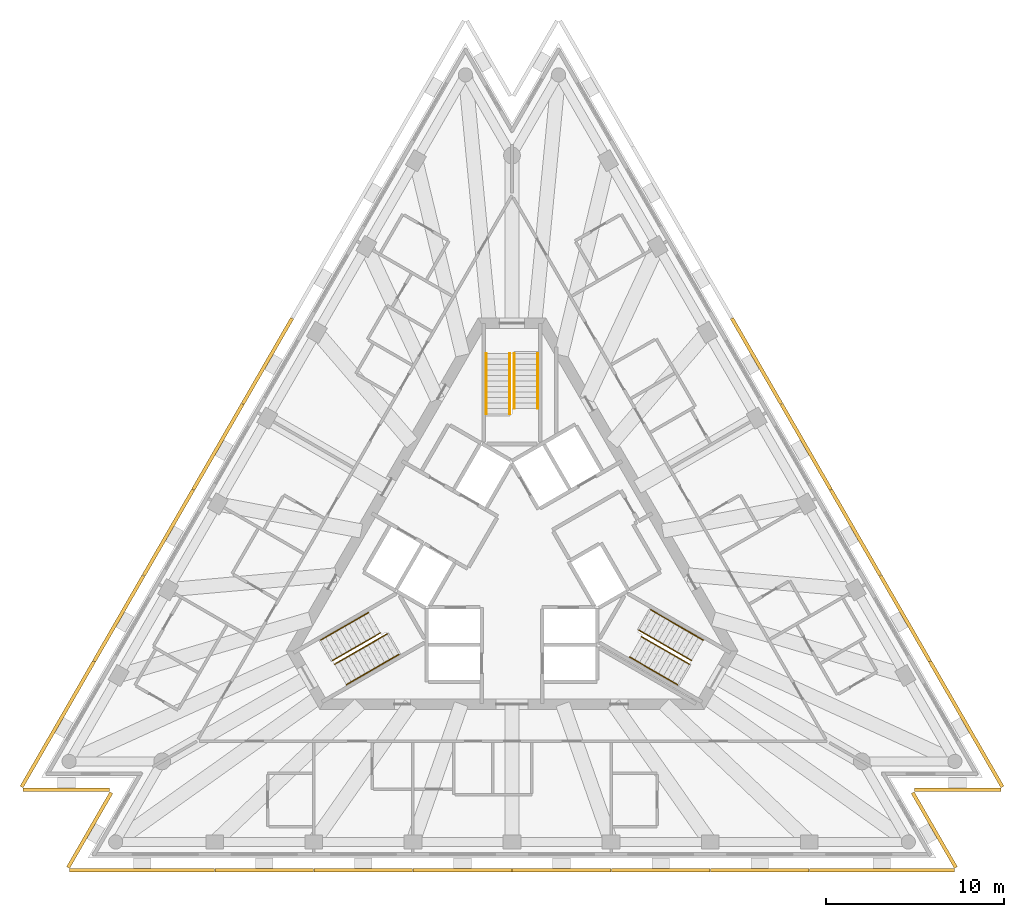
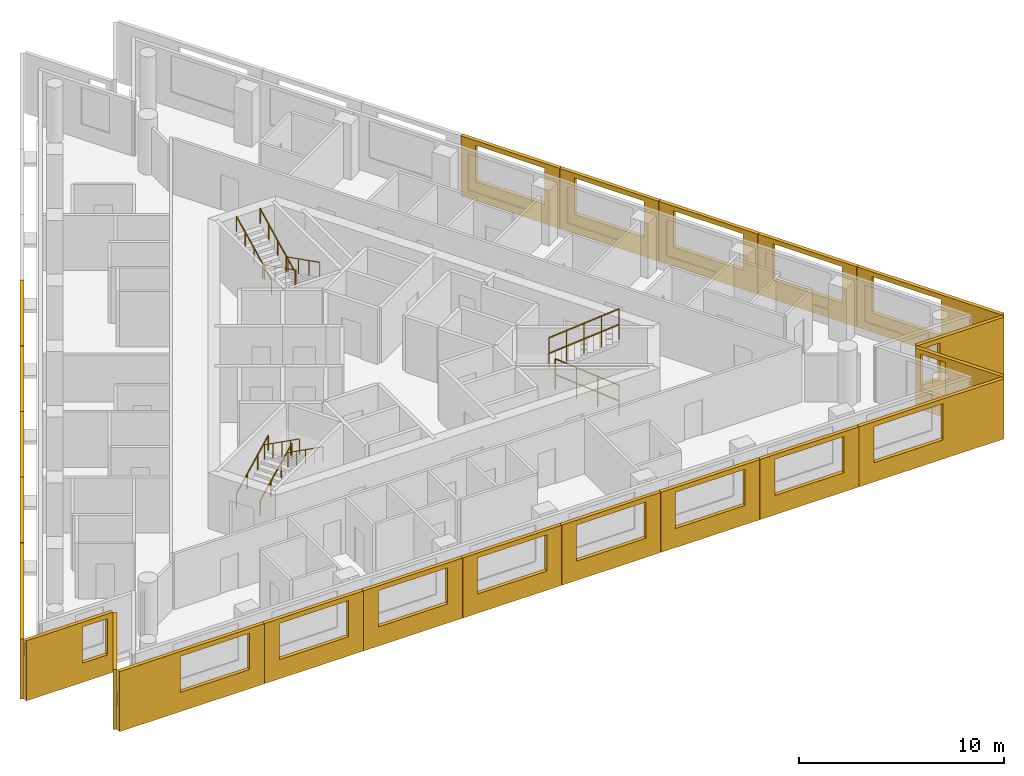
# One storey, part 9 of 10: 22 shading devices, 12 railings, 3 elements without a shape of their own.
"""IFC4 building model written with IfcOpenShell, lengths in metres."""

from ifc_helpers import new_model, si_unit, direction, frame, origin, origin_2d, place, context, subcontext, project, spatial, polyline, circle, outline, extrude, material, layer, layer_set, type_object, element, aggregate, save


model = new_model("IFC4")

# Units and contexts
model_context = context("Model", 3, precision=1e-05, world=origin(), true_north=direction((0.0, 1.0)))
body_context = subcontext(model_context, "Body", "Model", "MODEL_VIEW")
ifc_project = project(units=[si_unit("LENGTHUNIT", "METRE"), si_unit("AREAUNIT", "SQUARE_METRE"), si_unit("VOLUMEUNIT", "CUBIC_METRE"), si_unit("PLANEANGLEUNIT", "RADIAN"), si_unit("MASSUNIT", "GRAM", prefix="KILO")], contexts=[model_context])

# Site, building, storey
site_placement = place(None, origin())
site = spatial("IfcSite", under=ifc_project, at=site_placement, CompositionType="ELEMENT")
building_placement = place(site_placement, origin())
building = spatial("IfcBuilding", under=site, at=building_placement, Name="Triada Interchange Tower", CompositionType="ELEMENT")
storey_placement = place(building_placement, frame((0.0, 0.0, 271.89990234375)))
storey = spatial("IfcBuildingStorey", under=building, at=storey_placement, Name="L63", CompositionType="ELEMENT", Elevation=271.89990234375)

# Shading devices
ifc_material_1 = material(Name="Concrete C50/60 precast", Category="concrete")
ifc_layer_1 = layer(ifc_material_1, 0.02001953125, Name="Exposed aggregate face")
ifc_layer_2 = layer(ifc_material_1, 0.179931640625, Name="Precast concrete screen")
ifc_layer_set = layer_set([ifc_layer_1, ifc_layer_2], Name="Outer skin screen panel 3580")
shading_device_type = type_object("IfcShadingDeviceType", Name="Outer skin screen panel 3580", PredefinedType="SHUTTER", material=ifc_layer_set)
shading_device_1_placement = place(storey_placement, frame((-12.298095703125, 13.532958984375, -0.289794921875), z_axis=(0.0, 0.0, 1.0), x_axis=(-0.500072058625, -0.86598379672, 0.0)))
element("IfcShadingDevice", 1, at=shading_device_1_placement, inside=storey, type_object=shading_device_type, Name="Outer skin screen panel L63 04", PredefinedType="SHUTTER", context=body_context, shape_type="SweptSolid", body=[
    extrude(outline(polyline([(0.0, 0.0), (5.561279296875, 0.0), (5.561279296875, 3.579833984375), (0.0, 3.579833984375), (0.0, 0.0)]), holes=[polyline([(0.830322265625, 1.139892578125), (0.830322265625, 3.300048828125), (4.73046875, 3.300048828125), (4.73046875, 1.139892578125), (0.830322265625, 1.139892578125)])]), frame((0.0, 0.0, 0.0), z_axis=(0.0, -1.0, 0.0), x_axis=(1.0, 0.0, 0.0)), (0.0, 0.0, 1.0), 0.199951171875),
])
shading_device_2_placement = place(storey_placement, frame((-15.089111328125, 8.699951171875, -0.289794921875), z_axis=(0.0, 0.0, 1.0), x_axis=(-0.499907419982, -0.866078848285, 0.0)))
element("IfcShadingDevice", 2, at=shading_device_2_placement, inside=storey, type_object=shading_device_type, Name="Outer skin screen panel L63 05", PredefinedType="SHUTTER", context=body_context, shape_type="SweptSolid", body=[
    extrude(outline(polyline([(0.0, 0.0), (5.560546875, 0.0), (5.560546875, 3.579833984375), (0.0, 3.579833984375), (0.0, 0.0)]), holes=[polyline([(0.8310546875, 1.139892578125), (0.8310546875, 3.300048828125), (4.731201171875, 3.300048828125), (4.731201171875, 1.139892578125), (0.8310546875, 1.139892578125)])]), frame((0.0, 0.0, 0.0), z_axis=(0.0, -1.0, 0.0), x_axis=(1.0, 0.0, 0.0)), (0.0, 0.0, 1.0), 0.199951171875),
])
shading_device_3_placement = place(storey_placement, frame((-17.87890625, 3.865966796875, -0.289794921875), z_axis=(0.0, 0.0, 1.0), x_axis=(-0.500072058625, -0.86598379672, 0.0)))
element("IfcShadingDevice", 3, at=shading_device_3_placement, inside=storey, type_object=shading_device_type, Name="Outer skin screen panel L63 06", PredefinedType="SHUTTER", context=body_context, shape_type="SweptSolid", body=[
    extrude(outline(polyline([(0.0, 0.0), (5.561279296875, 0.0), (5.561279296875, 3.579833984375), (0.0, 3.579833984375), (0.0, 0.0)]), holes=[polyline([(0.830810546875, 1.139892578125), (0.830810546875, 3.300048828125), (4.730712890625, 3.300048828125), (4.730712890625, 1.139892578125), (0.830810546875, 1.139892578125)])]), frame((0.0, 0.0, 0.0), z_axis=(0.0, -1.0, 0.0), x_axis=(1.0, 0.0, 0.0)), (0.0, 0.0, 1.0), 0.199951171875),
])
shading_device_4_placement = place(storey_placement, frame((-20.669921875, -0.967041015625, -0.289794921875), z_axis=(0.0, 0.0, 1.0), x_axis=(-0.499996022837, -0.866027699989, 0.0)))
element("IfcShadingDevice", 4, at=shading_device_4_placement, inside=storey, type_object=shading_device_type, Name="Outer skin screen panel L63 07", PredefinedType="SHUTTER", context=body_context, shape_type="SweptSolid", body=[
    extrude(outline(polyline([(0.0, 0.0), (5.56201171875, 0.0), (5.56201171875, 3.579833984375), (0.0, 3.579833984375), (0.0, 0.0)]), holes=[polyline([(0.830322265625, 1.139892578125), (0.830322265625, 3.300048828125), (4.73046875, 3.300048828125), (4.73046875, 1.139892578125), (0.830322265625, 1.139892578125)])]), frame((0.0, 0.0, 0.0), z_axis=(0.0, -1.0, 0.0), x_axis=(1.0, 0.0, 0.0)), (0.0, 0.0, 1.0), 0.199951171875),
])
shading_device_5_placement = place(storey_placement, frame((-23.4609375, -5.801025390625, -0.289794921875), z_axis=(0.0, 0.0, 1.0), x_axis=(-0.499962486839, -0.866047060935, 0.0)))
element("IfcShadingDevice", 5, at=shading_device_5_placement, inside=storey, type_object=shading_device_type, Name="Outer skin screen panel L63 08", PredefinedType="SHUTTER", context=body_context, shape_type="SweptSolid", body=[
    extrude(outline(polyline([(0.0, 0.0), (8.158935546875, 0.0), (8.158935546875, 3.579833984375), (0.0, 3.579833984375), (0.0, 0.0)]), holes=[polyline([(0.8310546875, 1.139892578125), (0.8310546875, 3.300048828125), (4.73095703125, 3.300048828125), (4.73095703125, 1.139892578125), (0.8310546875, 1.139892578125)])]), frame((0.0, 0.0, 0.0), z_axis=(0.0, -1.0, 0.0), x_axis=(1.0, 0.0, 0.0)), (0.0, 0.0, 1.0), 0.199951171875),
])
shading_device_6_placement = place(storey_placement, frame((-27.534912109375, -12.8759765625, -0.289794921875), z_axis=(0.0, 0.0, 1.0), x_axis=(1.0, 0.0, 0.0)))
element("IfcShadingDevice", 6, at=shading_device_6_placement, inside=storey, type_object=shading_device_type, Name="Outer skin screen panel L63 09", PredefinedType="SHUTTER", context=body_context, shape_type="SweptSolid", body=[
    extrude(outline(polyline([(0.0, 0.0), (4.8759765625, 0.0), (4.8759765625, 3.579833984375), (0.0, 3.579833984375), (0.0, 0.0)]), holes=[polyline([(3.175048828125, 1.139892578125), (3.175048828125, 3.300048828125), (4.575927734375, 3.300048828125), (4.575927734375, 1.139892578125), (3.175048828125, 1.139892578125)])]), frame((0.0, 0.0, 0.0), z_axis=(0.0, -1.0, 0.0), x_axis=(1.0, 0.0, 0.0)), (0.0, 0.0, 1.0), 0.199951171875),
])
shading_device_7_placement = place(storey_placement, frame((-22.48095703125, -13.18505859375, -0.289794921875), z_axis=(0.0, 0.0, 1.0), x_axis=(-0.499983942717, -0.866034674262, 0.0)))
element("IfcShadingDevice", 7, at=shading_device_7_placement, inside=storey, type_object=shading_device_type, Name="Outer skin screen panel L63 10", PredefinedType="SHUTTER", context=body_context, shape_type="SweptSolid", body=[
    extrude(outline(polyline([(0.0, 0.0), (4.876220703125, 0.0), (4.876220703125, 3.579833984375), (0.0, 3.579833984375), (0.0, 0.0)]), holes=[polyline([(0.300048828125, 1.139892578125), (0.300048828125, 3.300048828125), (1.2578125, 3.300048828125), (1.2578125, 1.139892578125), (0.300048828125, 1.139892578125)])]), frame((0.0, 0.0, 0.0), z_axis=(0.0, -1.0, 0.0), x_axis=(1.0, 0.0, 0.0)), (0.0, 0.0, 1.0), 0.199951171875),
])
shading_device_8_placement = place(storey_placement, frame((-24.9140625, -17.4169921875, -0.289794921875), z_axis=(0.0, 0.0, 1.0), x_axis=(1.0, 0.0, 0.0)))
element("IfcShadingDevice", 8, at=shading_device_8_placement, inside=storey, type_object=shading_device_type, Name="Outer skin screen panel L63 11", PredefinedType="SHUTTER", context=body_context, shape_type="SweptSolid", body=[
    extrude(outline(polyline([(0.0, 0.0), (8.16015625, 0.0), (8.16015625, 3.579833984375), (0.0, 3.579833984375), (0.0, 0.0)]), holes=[polyline([(3.428955078125, 1.139892578125), (3.428955078125, 3.300048828125), (7.3291015625, 3.300048828125), (7.3291015625, 1.139892578125), (3.428955078125, 1.139892578125)])]), frame((0.0, 0.0, 0.0), z_axis=(0.0, -1.0, 0.0), x_axis=(1.0, 0.0, 0.0)), (0.0, 0.0, 1.0), 0.199951171875),
])
shading_device_9_placement = place(storey_placement, frame((-16.735107421875, -17.4169921875, -0.289794921875), z_axis=(0.0, 0.0, 1.0), x_axis=(1.0, 0.0, 0.0)))
element("IfcShadingDevice", 9, at=shading_device_9_placement, inside=storey, type_object=shading_device_type, Name="Outer skin screen panel L63 12", PredefinedType="SHUTTER", context=body_context, shape_type="SweptSolid", body=[
    extrude(outline(polyline([(0.0, 0.0), (5.56201171875, 0.0), (5.56201171875, 3.579833984375), (0.0, 3.579833984375), (0.0, 0.0)]), holes=[polyline([(0.83056640625, 1.139892578125), (0.83056640625, 3.300048828125), (4.73046875, 3.300048828125), (4.73046875, 1.139892578125), (0.83056640625, 1.139892578125)])]), frame((0.0, 0.0, 0.0), z_axis=(0.0, -1.0, 0.0), x_axis=(1.0, 0.0, 0.0)), (0.0, 0.0, 1.0), 0.199951171875),
])
shading_device_10_placement = place(storey_placement, frame((-11.153076171875, -17.4169921875, -0.289794921875), z_axis=(0.0, 0.0, 1.0), x_axis=(1.0, 0.0, 0.0)))
element("IfcShadingDevice", 10, at=shading_device_10_placement, inside=storey, type_object=shading_device_type, Name="Outer skin screen panel L63 13", PredefinedType="SHUTTER", context=body_context, shape_type="SweptSolid", body=[
    extrude(outline(polyline([(0.0, 0.0), (5.56103515625, 0.0), (5.56103515625, 3.579833984375), (0.0, 3.579833984375), (0.0, 0.0)]), holes=[polyline([(0.8310546875, 1.139892578125), (0.8310546875, 3.300048828125), (4.73095703125, 3.300048828125), (4.73095703125, 1.139892578125), (0.8310546875, 1.139892578125)])]), frame((0.0, 0.0, 0.0), z_axis=(0.0, -1.0, 0.0), x_axis=(1.0, 0.0, 0.0)), (0.0, 0.0, 1.0), 0.199951171875),
])
shading_device_11_placement = place(storey_placement, frame((-5.571044921875, -17.4169921875, -0.289794921875), z_axis=(0.0, 0.0, 1.0), x_axis=(1.0, 0.0, 0.0)))
element("IfcShadingDevice", 11, at=shading_device_11_placement, inside=storey, type_object=shading_device_type, Name="Outer skin screen panel L63 14", PredefinedType="SHUTTER", context=body_context, shape_type="SweptSolid", body=[
    extrude(outline(polyline([(0.0, 0.0), (5.56103515625, 0.0), (5.56103515625, 3.579833984375), (0.0, 3.579833984375), (0.0, 0.0)]), holes=[polyline([(0.83056640625, 1.139892578125), (0.83056640625, 3.300048828125), (4.73046875, 3.300048828125), (4.73046875, 1.139892578125), (0.83056640625, 1.139892578125)])]), frame((0.0, 0.0, 0.0), z_axis=(0.0, -1.0, 0.0), x_axis=(1.0, 0.0, 0.0)), (0.0, 0.0, 1.0), 0.199951171875),
])
shading_device_12_placement = place(storey_placement, frame((0.010009765625, -17.4169921875, -0.289794921875), z_axis=(0.0, 0.0, 1.0), x_axis=(1.0, 0.0, 0.0)))
element("IfcShadingDevice", 12, at=shading_device_12_placement, inside=storey, type_object=shading_device_type, Name="Outer skin screen panel L63 15", PredefinedType="SHUTTER", context=body_context, shape_type="SweptSolid", body=[
    extrude(outline(polyline([(0.0, 0.0), (5.56103515625, 0.0), (5.56103515625, 3.579833984375), (0.0, 3.579833984375), (0.0, 0.0)]), holes=[polyline([(0.8310546875, 1.139892578125), (0.8310546875, 3.300048828125), (4.73095703125, 3.300048828125), (4.73095703125, 1.139892578125), (0.8310546875, 1.139892578125)])]), frame((0.0, 0.0, 0.0), z_axis=(0.0, -1.0, 0.0), x_axis=(1.0, 0.0, 0.0)), (0.0, 0.0, 1.0), 0.199951171875),
])
shading_device_13_placement = place(storey_placement, frame((5.592041015625, -17.4169921875, -0.289794921875), z_axis=(0.0, 0.0, 1.0), x_axis=(1.0, 0.0, 0.0)))
element("IfcShadingDevice", 13, at=shading_device_13_placement, inside=storey, type_object=shading_device_type, Name="Outer skin screen panel L63 16", PredefinedType="SHUTTER", context=body_context, shape_type="SweptSolid", body=[
    extrude(outline(polyline([(0.0, 0.0), (5.56103515625, 0.0), (5.56103515625, 3.579833984375), (0.0, 3.579833984375), (0.0, 0.0)]), holes=[polyline([(0.83056640625, 1.139892578125), (0.83056640625, 3.300048828125), (4.73046875, 3.300048828125), (4.73046875, 1.139892578125), (0.83056640625, 1.139892578125)])]), frame((0.0, 0.0, 0.0), z_axis=(0.0, -1.0, 0.0), x_axis=(1.0, 0.0, 0.0)), (0.0, 0.0, 1.0), 0.199951171875),
])
shading_device_14_placement = place(storey_placement, frame((11.173095703125, -17.4169921875, -0.289794921875), z_axis=(0.0, 0.0, 1.0), x_axis=(1.0, 0.0, 0.0)))
element("IfcShadingDevice", 14, at=shading_device_14_placement, inside=storey, type_object=shading_device_type, Name="Outer skin screen panel L63 17", PredefinedType="SHUTTER", context=body_context, shape_type="SweptSolid", body=[
    extrude(outline(polyline([(0.0, 0.0), (5.56201171875, 0.0), (5.56201171875, 3.579833984375), (0.0, 3.579833984375), (0.0, 0.0)]), holes=[polyline([(0.8310546875, 1.139892578125), (0.8310546875, 3.300048828125), (4.73095703125, 3.300048828125), (4.73095703125, 1.139892578125), (0.8310546875, 1.139892578125)])]), frame((0.0, 0.0, 0.0), z_axis=(0.0, -1.0, 0.0), x_axis=(1.0, 0.0, 0.0)), (0.0, 0.0, 1.0), 0.199951171875),
])
shading_device_15_placement = place(storey_placement, frame((16.7548828125, -17.4169921875, -0.289794921875), z_axis=(0.0, 0.0, 1.0), x_axis=(1.0, 0.0, 0.0)))
element("IfcShadingDevice", 15, at=shading_device_15_placement, inside=storey, type_object=shading_device_type, Name="Outer skin screen panel L63 18", PredefinedType="SHUTTER", context=body_context, shape_type="SweptSolid", body=[
    extrude(outline(polyline([(0.0, 0.0), (8.1591796875, 0.0), (8.1591796875, 3.579833984375), (0.0, 3.579833984375), (0.0, 0.0)]), holes=[polyline([(0.83056640625, 1.139892578125), (0.83056640625, 3.300048828125), (4.73046875, 3.300048828125), (4.73046875, 1.139892578125), (0.83056640625, 1.139892578125)])]), frame((0.0, 0.0, 0.0), z_axis=(0.0, -1.0, 0.0), x_axis=(1.0, 0.0, 0.0)), (0.0, 0.0, 1.0), 0.199951171875),
])
shading_device_16_placement = place(storey_placement, frame((24.9189453125, -17.407958984375, -0.289794921875), z_axis=(0.0, 0.0, 1.0), x_axis=(-0.499983942717, 0.866034674262, 0.0)))
element("IfcShadingDevice", 16, at=shading_device_16_placement, inside=storey, type_object=shading_device_type, Name="Outer skin screen panel L63 19", PredefinedType="SHUTTER", context=body_context, shape_type="SweptSolid", body=[
    extrude(outline(polyline([(0.0, 0.0), (4.876220703125, 0.0), (4.876220703125, 3.579833984375), (0.0, 3.579833984375), (0.0, 0.0)]), holes=[polyline([(3.17529296875, 1.139892578125), (3.17529296875, 3.300048828125), (4.576904296875, 3.300048828125), (4.576904296875, 1.139892578125), (3.17529296875, 1.139892578125)])]), frame((0.0, 0.0, 0.0), z_axis=(0.0, -1.0, 0.0), x_axis=(1.0, 0.0, 0.0)), (0.0, 0.0, 1.0), 0.199951171875),
])
shading_device_17_placement = place(storey_placement, frame((22.658935546875, -12.8759765625, -0.289794921875), z_axis=(0.0, 0.0, 1.0), x_axis=(1.0, 0.0, 0.0)))
element("IfcShadingDevice", 17, at=shading_device_17_placement, inside=storey, type_object=shading_device_type, Name="Outer skin screen panel L63 20", PredefinedType="SHUTTER", context=body_context, shape_type="SweptSolid", body=[
    extrude(outline(polyline([(0.0, 0.0), (4.8759765625, 0.0), (4.8759765625, 3.579833984375), (0.0, 3.579833984375), (0.0, 0.0)]), holes=[polyline([(0.300048828125, 1.139892578125), (0.300048828125, 3.300048828125), (1.258056640625, 3.300048828125), (1.258056640625, 1.139892578125), (0.300048828125, 1.139892578125)])]), frame((0.0, 0.0, 0.0), z_axis=(0.0, -1.0, 0.0), x_axis=(1.0, 0.0, 0.0)), (0.0, 0.0, 1.0), 0.199951171875),
])
shading_device_18_placement = place(storey_placement, frame((27.5400390625, -12.866943359375, -0.289794921875), z_axis=(0.0, 0.0, 1.0), x_axis=(-0.499962486839, 0.866047060935, 0.0)))
element("IfcShadingDevice", 18, at=shading_device_18_placement, inside=storey, type_object=shading_device_type, Name="Outer skin screen panel L63 21", PredefinedType="SHUTTER", context=body_context, shape_type="SweptSolid", body=[
    extrude(outline(polyline([(0.0, 0.0), (8.158935546875, 0.0), (8.158935546875, 3.579833984375), (0.0, 3.579833984375), (0.0, 0.0)]), holes=[polyline([(3.42822265625, 1.139892578125), (3.42822265625, 3.300048828125), (7.328369140625, 3.300048828125), (7.328369140625, 1.139892578125), (3.42822265625, 1.139892578125)])]), frame((0.0, 0.0, 0.0), z_axis=(0.0, -1.0, 0.0), x_axis=(1.0, 0.0, 0.0)), (0.0, 0.0, 1.0), 0.199951171875),
])
shading_device_19_placement = place(storey_placement, frame((23.450927734375, -5.783935546875, -0.289794921875), z_axis=(0.0, 0.0, 1.0), x_axis=(-0.499996022837, 0.866027699989, 0.0)))
element("IfcShadingDevice", 19, at=shading_device_19_placement, inside=storey, type_object=shading_device_type, Name="Outer skin screen panel L63 22", PredefinedType="SHUTTER", context=body_context, shape_type="SweptSolid", body=[
    extrude(outline(polyline([(0.0, 0.0), (5.56201171875, 0.0), (5.56201171875, 3.579833984375), (0.0, 3.579833984375), (0.0, 0.0)]), holes=[polyline([(0.830810546875, 1.139892578125), (0.830810546875, 3.300048828125), (4.73095703125, 3.300048828125), (4.73095703125, 1.139892578125), (0.830810546875, 1.139892578125)])]), frame((0.0, 0.0, 0.0), z_axis=(0.0, -1.0, 0.0), x_axis=(1.0, 0.0, 0.0)), (0.0, 0.0, 1.0), 0.199951171875),
])
shading_device_20_placement = place(storey_placement, frame((20.659912109375, -0.949951171875, -0.289794921875), z_axis=(0.0, 0.0, 1.0), x_axis=(-0.500072058625, 0.86598379672, 0.0)))
element("IfcShadingDevice", 20, at=shading_device_20_placement, inside=storey, type_object=shading_device_type, Name="Outer skin screen panel L63 23", PredefinedType="SHUTTER", context=body_context, shape_type="SweptSolid", body=[
    extrude(outline(polyline([(0.0, 0.0), (5.561279296875, 0.0), (5.561279296875, 3.579833984375), (0.0, 3.579833984375), (0.0, 0.0)]), holes=[polyline([(0.83056640625, 1.139892578125), (0.83056640625, 3.300048828125), (4.73046875, 3.300048828125), (4.73046875, 1.139892578125), (0.83056640625, 1.139892578125)])]), frame((0.0, 0.0, 0.0), z_axis=(0.0, -1.0, 0.0), x_axis=(1.0, 0.0, 0.0)), (0.0, 0.0, 1.0), 0.199951171875),
])
shading_device_21_placement = place(storey_placement, frame((17.868896484375, 3.884033203125, -0.289794921875), z_axis=(0.0, 0.0, 1.0), x_axis=(-0.499907419982, 0.866078848285, 0.0)))
element("IfcShadingDevice", 21, at=shading_device_21_placement, inside=storey, type_object=shading_device_type, Name="Outer skin screen panel L63 24", PredefinedType="SHUTTER", context=body_context, shape_type="SweptSolid", body=[
    extrude(outline(polyline([(0.0, 0.0), (5.560546875, 0.0), (5.560546875, 3.579833984375), (0.0, 3.579833984375), (0.0, 0.0)]), holes=[polyline([(0.830078125, 1.139892578125), (0.830078125, 3.300048828125), (4.730224609375, 3.300048828125), (4.730224609375, 1.139892578125), (0.830078125, 1.139892578125)])]), frame((0.0, 0.0, 0.0), z_axis=(0.0, -1.0, 0.0), x_axis=(1.0, 0.0, 0.0)), (0.0, 0.0, 1.0), 0.199951171875),
])
shading_device_22_placement = place(storey_placement, frame((15.0791015625, 8.717041015625, -0.289794921875), z_axis=(0.0, 0.0, 1.0), x_axis=(-0.500072058625, 0.86598379672, 0.0)))
element("IfcShadingDevice", 22, at=shading_device_22_placement, inside=storey, type_object=shading_device_type, Name="Outer skin screen panel L63 25", PredefinedType="SHUTTER", context=body_context, shape_type="SweptSolid", body=[
    extrude(outline(polyline([(0.0, 0.0), (5.561279296875, 0.0), (5.561279296875, 3.579833984375), (0.0, 3.579833984375), (0.0, 0.0)]), holes=[polyline([(0.830810546875, 1.139892578125), (0.830810546875, 3.300048828125), (4.730712890625, 3.300048828125), (4.730712890625, 1.139892578125), (0.830810546875, 1.139892578125)])]), frame((0.0, 0.0, 0.0), z_axis=(0.0, -1.0, 0.0), x_axis=(1.0, 0.0, 0.0)), (0.0, 0.0, 1.0), 0.199951171875),
])

# Stair, railings
ifc_material_2 = material(Name="Concrete C35/45", Category="concrete")
stair_type = type_object("IfcStairType", Name="HALF TURN STAIR 1400", PredefinedType="HALF_TURN_STAIR", material=ifc_material_2)
stair_1_placement = place(storey_placement, origin())
stair_1 = element("IfcStair", 23, at=stair_1_placement, inside=storey, type_object=stair_type, Name="Exit stair S62-1", PredefinedType="HALF_TURN_STAIR")
ifc_material_3 = material(Name="Stainless steel 1.4301", Category="steel")
railing_type = type_object("IfcRailingType", Name="STAIR HANDRAIL 900", PredefinedType="HANDRAIL", material=ifc_material_3)
railing_1_placement = place(storey_placement, frame((1.449951171875, 11.60009765625, 0.156494140625)))
railing_1 = element("IfcRailing", 24, at=railing_1_placement, type_object=railing_type, Name="Handrail S62-1 1W", PredefinedType="HANDRAIL", context=body_context, shape_type="SweptSolid", body=[
    extrude(circle(Radius=0.02392578125, at=origin_2d()), frame((0.0, 0.0, 0.8759765625), z_axis=(0.0, -0.89267693942, 0.450697106522), x_axis=(1.0, 0.0, 0.0)), (0.0, 0.0, 1.0), 3.472900390625),
    extrude(circle(Radius=0.02099609375, at=origin_2d()), origin(), (0.0, 0.0, 1.0), 0.851806640625),
    extrude(circle(Radius=0.02099609375, at=origin_2d()), frame((0.0, -1.033447265625, 0.521728515625)), (0.0, 0.0, 1.0), 0.851806640625),
    extrude(circle(Radius=0.02099609375, at=origin_2d()), frame((0.0, -2.066650390625, 1.04345703125)), (0.0, 0.0, 1.0), 0.851806640625),
    extrude(circle(Radius=0.02099609375, at=origin_2d()), frame((0.0, -3.10009765625, 1.565185546875)), (0.0, 0.0, 1.0), 0.851806640625),
])
railing_2_placement = place(storey_placement, frame((0.1201171875, 11.60009765625, 0.156494140625)))
railing_2 = element("IfcRailing", 25, at=railing_2_placement, type_object=railing_type, Name="Handrail S62-1 1C", PredefinedType="HANDRAIL", context=body_context, shape_type="SweptSolid", body=[
    extrude(circle(Radius=0.02392578125, at=origin_2d()), frame((0.0, 0.0, 0.8759765625), z_axis=(0.0, -0.89267693942, 0.450697106522), x_axis=(1.0, 0.0, 0.0)), (0.0, 0.0, 1.0), 3.472900390625),
    extrude(circle(Radius=0.02099609375, at=origin_2d()), origin(), (0.0, 0.0, 1.0), 0.851806640625),
    extrude(circle(Radius=0.02099609375, at=origin_2d()), frame((0.0, -1.033447265625, 0.521728515625)), (0.0, 0.0, 1.0), 0.851806640625),
    extrude(circle(Radius=0.02099609375, at=origin_2d()), frame((0.0, -2.066650390625, 1.04345703125)), (0.0, 0.0, 1.0), 0.851806640625),
    extrude(circle(Radius=0.02099609375, at=origin_2d()), frame((0.0, -3.10009765625, 1.565185546875)), (0.0, 0.0, 1.0), 0.851806640625),
])
railing_3_placement = place(storey_placement, frame((-1.449951171875, 8.18994140625, 1.87841796875)))
railing_3 = element("IfcRailing", 26, at=railing_3_placement, type_object=railing_type, Name="Handrail S62-1 2W", PredefinedType="HANDRAIL", context=body_context, shape_type="SweptSolid", body=[
    extrude(circle(Radius=0.02392578125, at=origin_2d()), frame((0.0, 0.0, 0.8759765625), z_axis=(0.0, 0.892682106939, 0.450686871287), x_axis=(-1.0, 0.0, 0.0)), (0.0, 0.0, 1.0), 3.820068359375),
    extrude(circle(Radius=0.02099609375, at=origin_2d()), origin(), (0.0, 0.0, 1.0), 0.851806640625),
    extrude(circle(Radius=0.02099609375, at=origin_2d()), frame((0.0, 0.8525390625, 0.430419921875)), (0.0, 0.0, 1.0), 0.851806640625),
    extrude(circle(Radius=0.02099609375, at=origin_2d()), frame((0.0, 1.705078125, 0.86083984375)), (0.0, 0.0, 1.0), 0.851806640625),
    extrude(circle(Radius=0.02099609375, at=origin_2d()), frame((0.0, 2.5576171875, 1.291259765625)), (0.0, 0.0, 1.0), 0.851806640625),
    extrude(circle(Radius=0.02099609375, at=origin_2d()), frame((0.0, 3.41015625, 1.7216796875)), (0.0, 0.0, 1.0), 0.851806640625),
])
railing_4_placement = place(storey_placement, frame((-0.1201171875, 8.18994140625, 1.87841796875)))
railing_4 = element("IfcRailing", 27, at=railing_4_placement, type_object=railing_type, Name="Handrail S62-1 2C", PredefinedType="HANDRAIL", context=body_context, shape_type="SweptSolid", body=[
    extrude(circle(Radius=0.02392578125, at=origin_2d()), frame((0.0, 0.0, 0.8759765625), z_axis=(0.0, 0.892682106939, 0.450686871287), x_axis=(-1.0, 0.0, 0.0)), (0.0, 0.0, 1.0), 3.820068359375),
    extrude(circle(Radius=0.02099609375, at=origin_2d()), origin(), (0.0, 0.0, 1.0), 0.851806640625),
    extrude(circle(Radius=0.02099609375, at=origin_2d()), frame((0.0, 0.8525390625, 0.430419921875)), (0.0, 0.0, 1.0), 0.851806640625),
    extrude(circle(Radius=0.02099609375, at=origin_2d()), frame((0.0, 1.705078125, 0.86083984375)), (0.0, 0.0, 1.0), 0.851806640625),
    extrude(circle(Radius=0.02099609375, at=origin_2d()), frame((0.0, 2.5576171875, 1.291259765625)), (0.0, 0.0, 1.0), 0.851806640625),
    extrude(circle(Radius=0.02099609375, at=origin_2d()), frame((0.0, 3.41015625, 1.7216796875)), (0.0, 0.0, 1.0), 0.851806640625),
])
aggregate(stair_1, [railing_1, railing_2, railing_3, railing_4])

stair_2_placement = place(storey_placement, origin())
stair_2 = element("IfcStair", 28, at=stair_2_placement, inside=storey, type_object=stair_type, Name="Exit stair S62-2", PredefinedType="HALF_TURN_STAIR")
railing_5_placement = place(storey_placement, frame((-10.77099609375, -4.5439453125, 0.156494140625)))
railing_5 = element("IfcRailing", 29, at=railing_5_placement, type_object=railing_type, Name="Handrail S62-2 1W", PredefinedType="HANDRAIL", context=body_context, shape_type="SweptSolid", body=[
    extrude(circle(Radius=0.02392578125, at=origin_2d()), frame((0.0, 0.0, 0.8759765625), z_axis=(0.773115112249, 0.446309133267, 0.4506674836), x_axis=(-0.499958760481, 0.866049212123, 0.0)), (0.0, 0.0, 1.0), 3.47314453125),
    extrude(circle(Radius=0.02099609375, at=origin_2d()), origin(), (0.0, 0.0, 1.0), 0.851806640625),
    extrude(circle(Radius=0.02099609375, at=origin_2d()), frame((0.89501953125, 0.5166015625, 0.521728515625)), (0.0, 0.0, 1.0), 0.851806640625),
    extrude(circle(Radius=0.02099609375, at=origin_2d()), frame((1.7900390625, 1.033447265625, 1.04345703125)), (0.0, 0.0, 1.0), 0.851806640625),
    extrude(circle(Radius=0.02099609375, at=origin_2d()), frame((2.68505859375, 1.550048828125, 1.565185546875)), (0.0, 0.0, 1.0), 0.851806640625),
])
railing_6_placement = place(storey_placement, frame((-10.10595703125, -5.696044921875, 0.156494140625)))
railing_6 = element("IfcRailing", 30, at=railing_6_placement, type_object=railing_type, Name="Handrail S62-2 1C", PredefinedType="HANDRAIL", context=body_context, shape_type="SweptSolid", body=[
    extrude(circle(Radius=0.02392578125, at=origin_2d()), frame((0.0, 0.0, 0.8759765625), z_axis=(0.773115112249, 0.446309133267, 0.4506674836), x_axis=(-0.499958760481, 0.866049212123, 0.0)), (0.0, 0.0, 1.0), 3.47314453125),
    extrude(circle(Radius=0.02099609375, at=origin_2d()), origin(), (0.0, 0.0, 1.0), 0.851806640625),
    extrude(circle(Radius=0.02099609375, at=origin_2d()), frame((0.89501953125, 0.5166015625, 0.521728515625)), (0.0, 0.0, 1.0), 0.851806640625),
    extrude(circle(Radius=0.02099609375, at=origin_2d()), frame((1.7900390625, 1.033447265625, 1.04345703125)), (0.0, 0.0, 1.0), 0.851806640625),
    extrude(circle(Radius=0.02099609375, at=origin_2d()), frame((2.68505859375, 1.550048828125, 1.565185546875)), (0.0, 0.0, 1.0), 0.851806640625),
])
railing_7_placement = place(storey_placement, frame((-6.367919921875, -5.35107421875, 1.87841796875)))
railing_7 = element("IfcRailing", 31, at=railing_7_placement, type_object=railing_type, Name="Handrail S62-2 2W", PredefinedType="HANDRAIL", context=body_context, shape_type="SweptSolid", body=[
    extrude(circle(Radius=0.02392578125, at=origin_2d()), frame((0.0, 0.0, 0.8759765625), z_axis=(-0.773090904651, -0.446304049866, 0.450714042625), x_axis=(0.499966231165, -0.866044899352, 0.0)), (0.0, 0.0, 1.0), 3.81982421875),
    extrude(circle(Radius=0.02099609375, at=origin_2d()), origin(), (0.0, 0.0, 1.0), 0.851806640625),
    extrude(circle(Radius=0.02099609375, at=origin_2d()), frame((-0.73828125, -0.42626953125, 0.430419921875)), (0.0, 0.0, 1.0), 0.851806640625),
    extrude(circle(Radius=0.02099609375, at=origin_2d()), frame((-1.4765625, -0.8525390625, 0.86083984375)), (0.0, 0.0, 1.0), 0.851806640625),
    extrude(circle(Radius=0.02099609375, at=origin_2d()), frame((-2.21484375, -1.278564453125, 1.291259765625)), (0.0, 0.0, 1.0), 0.851806640625),
    extrude(circle(Radius=0.02099609375, at=origin_2d()), frame((-2.953125, -1.704833984375, 1.7216796875)), (0.0, 0.0, 1.0), 0.851806640625),
])
railing_8_placement = place(storey_placement, frame((-7.032958984375, -4.198974609375, 1.87841796875)))
railing_8 = element("IfcRailing", 32, at=railing_8_placement, type_object=railing_type, Name="Handrail S62-2 2C", PredefinedType="HANDRAIL", context=body_context, shape_type="SweptSolid", body=[
    extrude(circle(Radius=0.02392578125, at=origin_2d()), frame((0.0, 0.0, 0.8759765625), z_axis=(-0.773068851904, -0.446355229968, 0.450701185816), x_axis=(0.50001992892, -0.866013897511, 0.0)), (0.0, 0.0, 1.0), 3.820068359375),
    extrude(circle(Radius=0.02099609375, at=origin_2d()), origin(), (0.0, 0.0, 1.0), 0.851806640625),
    extrude(circle(Radius=0.02099609375, at=origin_2d()), frame((-0.73828125, -0.42626953125, 0.430419921875)), (0.0, 0.0, 1.0), 0.851806640625),
    extrude(circle(Radius=0.02099609375, at=origin_2d()), frame((-1.4765625, -0.8525390625, 0.86083984375)), (0.0, 0.0, 1.0), 0.851806640625),
    extrude(circle(Radius=0.02099609375, at=origin_2d()), frame((-2.21484375, -1.27880859375, 1.291259765625)), (0.0, 0.0, 1.0), 0.851806640625),
    extrude(circle(Radius=0.02099609375, at=origin_2d()), frame((-2.953125, -1.705078125, 1.7216796875)), (0.0, 0.0, 1.0), 0.851806640625),
])
aggregate(stair_2, [railing_5, railing_6, railing_7, railing_8])

stair_3_placement = place(storey_placement, origin())
stair_3 = element("IfcStair", 33, at=stair_3_placement, inside=storey, type_object=stair_type, Name="Exit stair S62-3", PredefinedType="HALF_TURN_STAIR")
railing_9_placement = place(storey_placement, frame((9.321044921875, -7.055908203125, 0.156494140625)))
railing_9 = element("IfcRailing", 34, at=railing_9_placement, type_object=railing_type, Name="Handrail S62-3 1W", PredefinedType="HANDRAIL", context=body_context, shape_type="SweptSolid", body=[
    extrude(circle(Radius=0.02392578125, at=origin_2d()), frame((0.0, 0.0, 0.8759765625), z_axis=(-0.773139366989, 0.446252837029, 0.450681622274), x_axis=(-0.499899694197, -0.866083307622, 0.0)), (0.0, 0.0, 1.0), 3.472900390625),
    extrude(circle(Radius=0.02099609375, at=origin_2d()), origin(), (0.0, 0.0, 1.0), 0.851806640625),
    extrude(circle(Radius=0.02099609375, at=origin_2d()), frame((-0.89501953125, 0.5166015625, 0.521728515625)), (0.0, 0.0, 1.0), 0.851806640625),
    extrude(circle(Radius=0.02099609375, at=origin_2d()), frame((-1.7900390625, 1.033203125, 1.04345703125)), (0.0, 0.0, 1.0), 0.851806640625),
    extrude(circle(Radius=0.02099609375, at=origin_2d()), frame((-2.68505859375, 1.5498046875, 1.565185546875)), (0.0, 0.0, 1.0), 0.851806640625),
])
railing_10_placement = place(storey_placement, frame((9.986083984375, -5.904052734375, 0.156494140625)))
railing_10 = element("IfcRailing", 35, at=railing_10_placement, type_object=railing_type, Name="Handrail S62-3 1C", PredefinedType="HANDRAIL", context=body_context, shape_type="SweptSolid", body=[
    extrude(circle(Radius=0.02392578125, at=origin_2d()), frame((0.0, 0.0, 0.8759765625), z_axis=(-0.773115112249, 0.446309133267, 0.4506674836), x_axis=(-0.499958760481, -0.866049212123, 0.0)), (0.0, 0.0, 1.0), 3.47314453125),
    extrude(circle(Radius=0.02099609375, at=origin_2d()), origin(), (0.0, 0.0, 1.0), 0.851806640625),
    extrude(circle(Radius=0.02099609375, at=origin_2d()), frame((-0.89501953125, 0.5166015625, 0.521728515625)), (0.0, 0.0, 1.0), 0.851806640625),
    extrude(circle(Radius=0.02099609375, at=origin_2d()), frame((-1.7900390625, 1.033447265625, 1.04345703125)), (0.0, 0.0, 1.0), 0.851806640625),
    extrude(circle(Radius=0.02099609375, at=origin_2d()), frame((-2.68505859375, 1.550048828125, 1.565185546875)), (0.0, 0.0, 1.0), 0.851806640625),
])
railing_11_placement = place(storey_placement, frame((7.818115234375, -2.839111328125, 1.87841796875)))
railing_11 = element("IfcRailing", 36, at=railing_11_placement, type_object=railing_type, Name="Handrail S62-3 2W", PredefinedType="HANDRAIL", context=body_context, shape_type="SweptSolid", body=[
    extrude(circle(Radius=0.02392578125, at=origin_2d()), frame((0.0, 0.0, 0.8759765625), z_axis=(0.773065188623, -0.4463261027, 0.450736313367), x_axis=(0.499997234054, 0.866027000698, 0.0)), (0.0, 0.0, 1.0), 3.81982421875),
    extrude(circle(Radius=0.02099609375, at=origin_2d()), origin(), (0.0, 0.0, 1.0), 0.851806640625),
    extrude(circle(Radius=0.02099609375, at=origin_2d()), frame((0.73828125, -0.42626953125, 0.430419921875)), (0.0, 0.0, 1.0), 0.851806640625),
    extrude(circle(Radius=0.02099609375, at=origin_2d()), frame((1.4765625, -0.8525390625, 0.86083984375)), (0.0, 0.0, 1.0), 0.851806640625),
    extrude(circle(Radius=0.02099609375, at=origin_2d()), frame((2.214599609375, -1.278564453125, 1.291259765625)), (0.0, 0.0, 1.0), 0.851806640625),
    extrude(circle(Radius=0.02099609375, at=origin_2d()), frame((2.952880859375, -1.704833984375, 1.7216796875)), (0.0, 0.0, 1.0), 0.851806640625),
])
railing_12_placement = place(storey_placement, frame((7.153076171875, -3.990966796875, 1.87841796875)))
railing_12 = element("IfcRailing", 37, at=railing_12_placement, type_object=railing_type, Name="Handrail S62-3 2C", PredefinedType="HANDRAIL", context=body_context, shape_type="SweptSolid", body=[
    extrude(circle(Radius=0.02392578125, at=origin_2d()), frame((0.0, 0.0, 0.8759765625), z_axis=(0.773043134431, -0.446377284073, 0.450723454651), x_axis=(0.500050932918, 0.865995995653, 0.0)), (0.0, 0.0, 1.0), 3.81982421875),
    extrude(circle(Radius=0.02099609375, at=origin_2d()), origin(), (0.0, 0.0, 1.0), 0.851806640625),
    extrude(circle(Radius=0.02099609375, at=origin_2d()), frame((0.73828125, -0.42626953125, 0.430419921875)), (0.0, 0.0, 1.0), 0.851806640625),
    extrude(circle(Radius=0.02099609375, at=origin_2d()), frame((1.4765625, -0.8525390625, 0.86083984375)), (0.0, 0.0, 1.0), 0.851806640625),
    extrude(circle(Radius=0.02099609375, at=origin_2d()), frame((2.214599609375, -1.27880859375, 1.291259765625)), (0.0, 0.0, 1.0), 0.851806640625),
    extrude(circle(Radius=0.02099609375, at=origin_2d()), frame((2.952880859375, -1.705078125, 1.7216796875)), (0.0, 0.0, 1.0), 0.851806640625),
])
aggregate(stair_3, [railing_9, railing_10, railing_11, railing_12])

save(model, "model.ifc")
